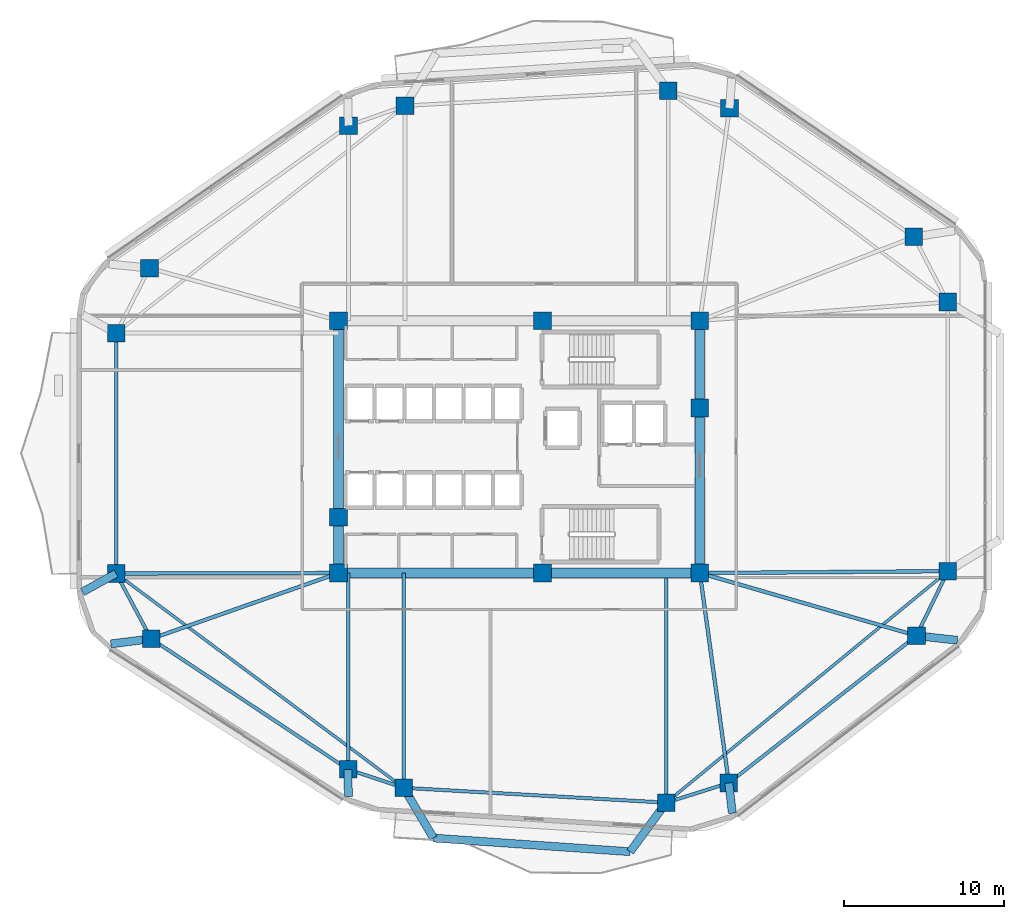
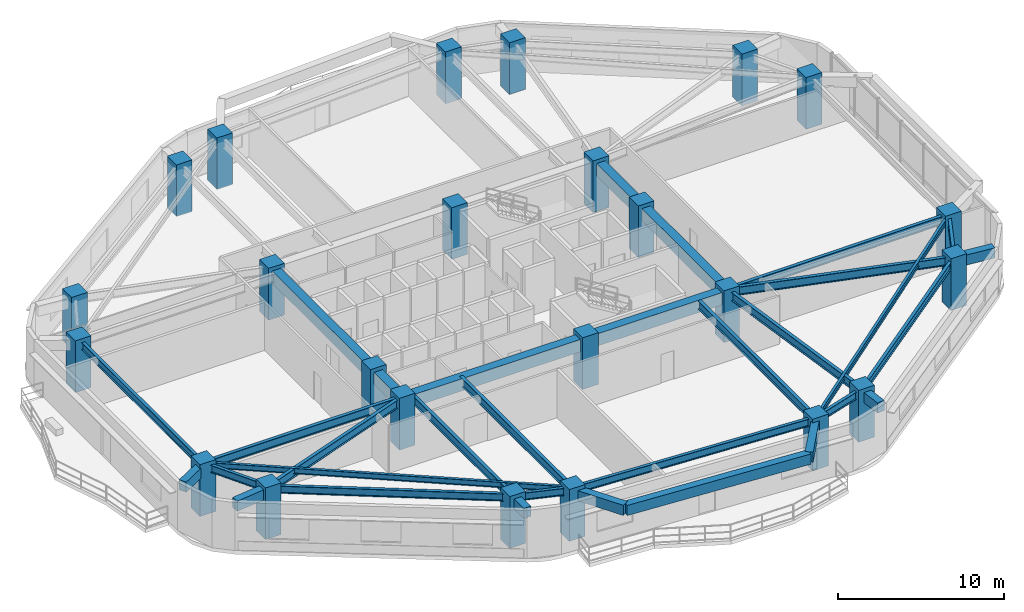
# One storey, part 1 of 14: 32 beams, 24 columns.
"""IFC4 building model written with IfcOpenShell, lengths in metres."""

from ifc_helpers import new_model, si_unit, direction, frame, origin, origin_2d, place, context, subcontext, project, spatial, rectangle, i_section, extrude, material, material_profile, profile_set, type_object, element, save


model = new_model("IFC4")

# Units and contexts
model_context = context("Model", 3, precision=1e-05, world=origin(), true_north=direction((0.0, 1.0)))
body_context = subcontext(model_context, "Body", "Model", "MODEL_VIEW")
ifc_project = project(units=[si_unit("LENGTHUNIT", "METRE"), si_unit("AREAUNIT", "SQUARE_METRE"), si_unit("VOLUMEUNIT", "CUBIC_METRE"), si_unit("PLANEANGLEUNIT", "RADIAN"), si_unit("MASSUNIT", "GRAM", prefix="KILO")], contexts=[model_context])

# Site, building, storey
site_placement = place(None, origin())
site = spatial("IfcSite", under=ifc_project, at=site_placement, CompositionType="ELEMENT")
building_placement = place(site_placement, origin())
building = spatial("IfcBuilding", under=site, at=building_placement, Name="Zulverin Broadcast Headquarters", CompositionType="ELEMENT")
storey_placement = place(building_placement, frame((0.0, 0.0, 85.800048828125)))
storey = spatial("IfcBuildingStorey", under=building, at=storey_placement, Name="L21", CompositionType="ELEMENT", Elevation=85.800048828125)

# Columns
ifc_material_1 = material(Name="Concrete C60/75", Category="concrete")
ifc_material_profile_1 = material_profile(ifc_material_1, rectangle(XDim=1.10009765625, YDim=1.10009765625, at=origin_2d()), Name="Concrete C60/75", Category="concrete")
ifc_profile_set_1 = profile_set([ifc_material_profile_1], Name="Concrete C60/75")
column_type_1 = type_object("IfcColumnType", Name="COL-RC-1100", PredefinedType="COLUMN", material=ifc_profile_set_1)
for number, where, z_axis, x_axis, name in (
    (1, (29.79638671875, 3.922119140625, 0.0), (0.0, 0.0, 1.0), (1.0, 0.0, 0.0), "L21 Perimeter Column T01"),
    (2, (46.175048828125, 2.997802734375, 0.0), (0.0, 0.0, 1.0), (1.0, 0.0, 0.0), "L21 Perimeter Column T02"),
    (3, (50.08056640625, 4.22509765625, 0.0), (0.0, 0.0, 1.0), (1.0, 0.0, 0.0), "L21 Perimeter Column T03"),
    (4, (61.79296875, 13.416259765625, 0.0), (0.0, 0.0, 1.0), (1.0, 0.0, 0.0), "L21 Perimeter Column T04"),
    (5, (63.75, 17.439697265625, 0.0), (0.0, 0.0, 1.0), (1.0, 0.0, 0.0), "L21 Perimeter Column T05"),
    (6, (63.75, 34.235107421875, 0.0), (0.0, 0.0, 1.0), (1.0, 0.0, 0.0), "L21 Perimeter Column T06"),
    (7, (61.630126953125, 38.298583984375, 0.0), (0.0, 0.0, 1.0), (1.0, 0.0, 0.0), "L21 Perimeter Column T07"),
    (8, (50.121826171875, 46.325927734375, 0.0), (0.0, 0.0, 1.0), (1.0, 0.0, 0.0), "L21 Perimeter Column T08"),
    (9, (46.30224609375, 47.4091796875, 0.0), (0.0, 0.0, 1.0), (1.0, 0.0, 0.0), "L21 Perimeter Column T09"),
    (10, (29.873779296875, 46.482177734375, 0.0), (0.0, 0.0, 1.0), (1.0, 0.0, 0.0), "L21 Perimeter Column T10"),
    (11, (26.344482421875, 45.23828125, 0.0), (0.0, 0.0, 1.0), (1.0, 0.0, 0.0), "L21 Perimeter Column T11"),
    (12, (13.934326171875, 36.353759765625, 0.0), (0.0, 0.0, 1.0), (1.0, 0.0, 0.0), "L21 Perimeter Column T12"),
    (13, (11.85009765625, 32.298095703125, 0.0), (0.0, 0.0, 1.0), (1.0, 0.0, 0.0), "L21 Perimeter Column T13"),
    (14, (11.85009765625, 17.297607421875, 0.0), (0.0, 0.0, 1.0), (1.0, 0.0, 0.0), "L21 Perimeter Column T14"),
    (15, (14.0390625, 13.219970703125, 0.0), (0.0, 0.0, 1.0), (1.0, 0.0, 0.0), "L21 Perimeter Column T15"),
    (16, (26.3251953125, 5.075927734375, 0.0), (0.0, 0.0, 1.0), (1.0, 0.0, 0.0), "L21 Perimeter Column T16"),
):
    element("IfcColumn", number, at=place(storey_placement, frame(where, z_axis=z_axis, x_axis=x_axis)), inside=storey, type_object=column_type_1, Name=name, PredefinedType="COLUMN", context=body_context, shape_type="SweptSolid", body=[
        extrude(rectangle(XDim=1.10009765625, YDim=1.10009765625, at=origin_2d()), origin(), (0.0, 0.0, 1.0), 3.800048828125),
    ])
ifc_material_profile_2 = material_profile(ifc_material_1, rectangle(XDim=1.10009765625, YDim=1.10009765625, at=origin_2d()), Name="Concrete C60/75", Category="concrete")
ifc_profile_set_2 = profile_set([ifc_material_profile_2], Name="Concrete C60/75")
column_type_2 = type_object("IfcColumnType", Name="PIL-RC-1100", PredefinedType="PILASTER", material=ifc_profile_set_2)
for number, where, z_axis, x_axis, name in (
    (17, (25.72509765625, 17.324951171875, 0.0), (0.0, 0.0, 1.0), (1.0, 0.0, 0.0), "L21 Core Pilaster K01"),
    (18, (38.449951171875, 17.324951171875, 0.0), (0.0, 0.0, 1.0), (1.0, 0.0, 0.0), "L21 Core Pilaster K02"),
    (19, (48.27490234375, 17.324951171875, 0.0), (0.0, 0.0, 1.0), (1.0, 0.0, 0.0), "L21 Core Pilaster K03"),
    (20, (48.27490234375, 27.6201171875, 0.0), (0.0, 0.0, 1.0), (1.0, 0.0, 0.0), "L21 Core Pilaster K04"),
    (21, (48.27490234375, 33.074951171875, 0.0), (0.0, 0.0, 1.0), (1.0, 0.0, 0.0), "L21 Core Pilaster K05"),
    (22, (38.449951171875, 33.074951171875, 0.0), (0.0, 0.0, 1.0), (1.0, 0.0, 0.0), "L21 Core Pilaster K06"),
    (23, (25.72509765625, 33.074951171875, 0.0), (0.0, 0.0, 1.0), (1.0, 0.0, 0.0), "L21 Core Pilaster K07"),
    (24, (25.72509765625, 20.800048828125, 0.0), (0.0, 0.0, 1.0), (1.0, 0.0, 0.0), "L21 Core Pilaster K08"),
):
    element("IfcColumn", number, at=place(storey_placement, frame(where, z_axis=z_axis, x_axis=x_axis)), inside=storey, type_object=column_type_2, Name=name, PredefinedType="PILASTER", context=body_context, shape_type="SweptSolid", body=[
        extrude(rectangle(XDim=1.10009765625, YDim=1.10009765625, at=origin_2d()), origin(), (0.0, 0.0, 1.0), 3.800048828125),
    ])

# Beams
ifc_material_profile_3 = material_profile(ifc_material_1, rectangle(XDim=0.60009765625, YDim=0.89990234375, at=origin_2d()), Name="Concrete C60/75", Category="concrete")
ifc_profile_set_3 = profile_set([ifc_material_profile_3], Name="Concrete C60/75")
beam_type_1 = type_object("IfcBeamType", Name="BM-CB-600x900", PredefinedType="LINTEL", material=ifc_profile_set_3)
beam_1_placement = place(storey_placement, frame((25.72509765625, 17.324951171875, 3.074951171875), z_axis=(1.0, 0.0, 0.0), x_axis=(0.0, 1.0, 0.0)))
element("IfcBeam", 25, at=beam_1_placement, inside=storey, type_object=beam_type_1, Name="L21 Core Coupling Girder K01-K02", PredefinedType="LINTEL", context=body_context, shape_type="SweptSolid", body=[
    extrude(rectangle(XDim=0.60009765625, YDim=0.89990234375, at=origin_2d()), origin(), (0.0, 0.0, 1.0), 12.724853515625),
])
beam_2_placement = place(storey_placement, frame((38.449951171875, 17.324951171875, 3.074951171875), z_axis=(1.0, 0.0, 0.0), x_axis=(0.0, 1.0, 0.0)))
element("IfcBeam", 26, at=beam_2_placement, inside=storey, type_object=beam_type_1, Name="L21 Core Coupling Girder K02-K03", PredefinedType="LINTEL", context=body_context, shape_type="SweptSolid", body=[
    extrude(rectangle(XDim=0.60009765625, YDim=0.89990234375, at=origin_2d()), origin(), (0.0, 0.0, 1.0), 9.824951171875),
])
beam_3_placement = place(storey_placement, frame((48.27490234375, 17.324951171875, 3.074951171875), z_axis=(0.0, 1.0, 0.0), x_axis=(-1.0, 0.0, 0.0)))
element("IfcBeam", 27, at=beam_3_placement, inside=storey, type_object=beam_type_1, Name="L21 Core Coupling Girder K03-K04", PredefinedType="LINTEL", context=body_context, shape_type="SweptSolid", body=[
    extrude(rectangle(XDim=0.60009765625, YDim=0.89990234375, at=origin_2d()), origin(), (0.0, 0.0, 1.0), 10.295166015625),
])
beam_4_placement = place(storey_placement, frame((48.27490234375, 27.6201171875, 3.074951171875), z_axis=(0.0, 1.0, 0.0), x_axis=(-1.0, 0.0, 0.0)))
element("IfcBeam", 28, at=beam_4_placement, inside=storey, type_object=beam_type_1, Name="L21 Core Coupling Girder K04-K05", PredefinedType="LINTEL", context=body_context, shape_type="SweptSolid", body=[
    extrude(rectangle(XDim=0.60009765625, YDim=0.89990234375, at=origin_2d()), origin(), (0.0, 0.0, 1.0), 5.454833984375),
])
beam_5_placement = place(storey_placement, frame((25.72509765625, 33.074951171875, 3.074951171875), z_axis=(0.0, -1.0, 0.0), x_axis=(1.0, 0.0, 0.0)))
element("IfcBeam", 29, at=beam_5_placement, inside=storey, type_object=beam_type_1, Name="L21 Core Coupling Girder K07-K08", PredefinedType="LINTEL", context=body_context, shape_type="SweptSolid", body=[
    extrude(rectangle(XDim=0.60009765625, YDim=0.89990234375, at=origin_2d()), origin(), (0.0, 0.0, 1.0), 12.27490234375),
])
beam_6_placement = place(storey_placement, frame((25.72509765625, 20.800048828125, 3.074951171875), z_axis=(0.0, -1.0, 0.0), x_axis=(1.0, 0.0, 0.0)))
element("IfcBeam", 30, at=beam_6_placement, inside=storey, type_object=beam_type_1, Name="L21 Core Coupling Girder K08-K01", PredefinedType="LINTEL", context=body_context, shape_type="SweptSolid", body=[
    extrude(rectangle(XDim=0.60009765625, YDim=0.89990234375, at=origin_2d()), origin(), (0.0, 0.0, 1.0), 3.47509765625),
])
ifc_material_2 = material(Name="Concrete C40/50", Category="concrete")
ifc_material_profile_4 = material_profile(ifc_material_2, rectangle(XDim=0.5, YDim=0.75, at=origin_2d()), Name="Concrete C40/50", Category="concrete")
ifc_profile_set_4 = profile_set([ifc_material_profile_4], Name="Concrete C40/50")
beam_type_2 = type_object("IfcBeamType", Name="BM-RC-500x750", PredefinedType="BEAM", material=ifc_profile_set_4)
beam_7_placement = place(storey_placement, frame((50.08056640625, 4.22509765625, 3.14990234375), z_axis=(0.115916621896, -0.99325894749, 0.0), x_axis=(0.99325894749, 0.115916621896, 0.0)))
element("IfcBeam", 31, at=beam_7_placement, inside=storey, type_object=beam_type_2, Name="L22 Plate Overhang Back-Spanned Beam OVR-03", PredefinedType="BEAM", context=body_context, shape_type="SweptSolid", body=[
    extrude(rectangle(XDim=0.5, YDim=0.75, at=origin_2d()), origin(), (0.0, 0.0, 1.0), 1.899658203125),
])
beam_8_placement = place(storey_placement, frame((61.79296875, 13.416259765625, 3.14990234375), z_axis=(0.993797661948, -0.111203449166, 0.0), x_axis=(0.111203449166, 0.993797661948, 0.0)))
element("IfcBeam", 32, at=beam_8_placement, inside=storey, type_object=beam_type_2, Name="L22 Plate Overhang Back-Spanned Beam OVR-04", PredefinedType="BEAM", context=body_context, shape_type="SweptSolid", body=[
    extrude(rectangle(XDim=0.5, YDim=0.75, at=origin_2d()), origin(), (0.0, 0.0, 1.0), 2.568603515625),
])
beam_9_placement = place(storey_placement, frame((11.85009765625, 17.297607421875, 3.14990234375), z_axis=(-0.876392237524, -0.481598012878, 0.0), x_axis=(0.481598012878, -0.876392237524, 0.0)))
element("IfcBeam", 33, at=beam_9_placement, inside=storey, type_object=beam_type_2, Name="L22 Plate Overhang Back-Spanned Beam OVR-14", PredefinedType="BEAM", context=body_context, shape_type="SweptSolid", body=[
    extrude(rectangle(XDim=0.5, YDim=0.75, at=origin_2d()), origin(), (0.0, 0.0, 1.0), 2.396240234375),
])
beam_10_placement = place(storey_placement, frame((14.0390625, 13.219970703125, 3.14990234375), z_axis=(-0.992258640565, -0.124188526941, 0.0), x_axis=(0.124188526941, -0.992258640565, 0.0)))
element("IfcBeam", 34, at=beam_10_placement, inside=storey, type_object=beam_type_2, Name="L22 Plate Overhang Back-Spanned Beam OVR-15", PredefinedType="BEAM", context=body_context, shape_type="SweptSolid", body=[
    extrude(rectangle(XDim=0.5, YDim=0.75, at=origin_2d()), origin(), (0.0, 0.0, 1.0), 2.5400390625),
])
beam_11_placement = place(storey_placement, frame((26.3251953125, 5.075927734375, 3.14990234375), z_axis=(0.006204786761, -0.999980750125, 0.0), x_axis=(0.999980750125, 0.006204786761, 0.0)))
element("IfcBeam", 35, at=beam_11_placement, inside=storey, type_object=beam_type_2, Name="L22 Plate Overhang Back-Spanned Beam OVR-16", PredefinedType="BEAM", context=body_context, shape_type="SweptSolid", body=[
    extrude(rectangle(XDim=0.5, YDim=0.75, at=origin_2d()), origin(), (0.0, 0.0, 1.0), 1.69189453125),
])
beam_12_placement = place(storey_placement, frame((29.79638671875, 3.922119140625, 3.14990234375), z_axis=(0.50927124685, -0.860606063848, 0.0), x_axis=(0.860606063848, 0.50927124685, 0.0)))
element("IfcBeam", 36, at=beam_12_placement, inside=storey, type_object=beam_type_2, Name="L22 Balcony Column-Framed Cantilever BAL_S-1", PredefinedType="BEAM", context=body_context, shape_type="SweptSolid", body=[
    extrude(rectangle(XDim=0.5, YDim=0.75, at=origin_2d()), origin(), (0.0, 0.0, 1.0), 3.641845703125),
])
beam_13_placement = place(storey_placement, frame((46.175048828125, 2.997802734375, 3.14990234375), z_axis=(-0.592479980496, -0.805585174088, 0.0), x_axis=(0.805585174088, -0.592479980496, 0.0)))
element("IfcBeam", 37, at=beam_13_placement, inside=storey, type_object=beam_type_2, Name="L22 Balcony Column-Framed Cantilever BAL_S-2", PredefinedType="BEAM", context=body_context, shape_type="SweptSolid", body=[
    extrude(rectangle(XDim=0.5, YDim=0.75, at=origin_2d()), origin(), (0.0, 0.0, 1.0), 3.800048828125),
])
beam_14_placement = place(storey_placement, frame((31.651123046875, 0.787841796875, 3.14990234375), z_axis=(0.997602675733, -0.069201888483, 0.0), x_axis=(0.069201888483, 0.997602675733, 0.0)))
element("IfcBeam", 38, at=beam_14_placement, inside=storey, type_object=beam_type_2, Name="L22 Balcony Outer Edge Trimmer Beam BAL_S", PredefinedType="BEAM", context=body_context, shape_type="SweptSolid", body=[
    extrude(rectangle(XDim=0.5, YDim=0.75, at=origin_2d()), origin(), (0.0, 0.0, 1.0), 12.302001953125),
])
ifc_material_3 = material(Name="Structural steel S355JR", Category="steel")
ifc_material_profile_5 = material_profile(ifc_material_3, i_section(OverallWidth=0.179443359375, OverallDepth=0.412841796875, WebThickness=0.009521484375, FlangeThickness=0.01611328125, at=origin_2d()), Name="Structural steel S355JR", Category="steel")
ifc_profile_set_5 = profile_set([ifc_material_profile_5], Name="Structural steel S355JR")
beam_type_3 = type_object("IfcBeamType", Name="BM-UB-406", PredefinedType="JOIST", material=ifc_profile_set_5)
beam_15_placement = place(storey_placement, frame((46.175048828125, 2.997802734375, 3.318603515625), z_axis=(0.772611370623, 0.634879256224, 0.0), x_axis=(-0.634879256224, 0.772611370623, 0.0)))
element("IfcBeam", 39, at=beam_15_placement, inside=storey, type_object=beam_type_3, Name="L21 Chordal Floor Joist J-01", PredefinedType="JOIST", context=body_context, shape_type="SweptSolid", body=[
    extrude(i_section(OverallWidth=0.179443359375, OverallDepth=0.412841796875, WebThickness=0.009521484375, FlangeThickness=0.01611328125, at=origin_2d()), origin(), (0.0, 0.0, 1.0), 22.74755859375),
])
beam_16_placement = place(storey_placement, frame((11.85009765625, 17.297607421875, 3.318603515625), z_axis=(0.801802688634, -0.59758886243, 0.0), x_axis=(0.59758886243, 0.801802688634, 0.0)))
element("IfcBeam", 40, at=beam_16_placement, inside=storey, type_object=beam_type_3, Name="L21 Chordal Floor Joist J-04", PredefinedType="JOIST", context=body_context, shape_type="SweptSolid", body=[
    extrude(i_section(OverallWidth=0.179443359375, OverallDepth=0.412841796875, WebThickness=0.009521484375, FlangeThickness=0.01611328125, at=origin_2d()), origin(), (0.0, 0.0, 1.0), 22.38232421875),
])
ifc_material_profile_6 = material_profile(ifc_material_3, i_section(OverallWidth=0.2119140625, OverallDepth=0.54443359375, WebThickness=0.0126953125, FlangeThickness=0.021240234375, at=origin_2d()), Name="Structural steel S355JR", Category="steel")
ifc_profile_set_6 = profile_set([ifc_material_profile_6], Name="Structural steel S355JR")
beam_type_4 = type_object("IfcBeamType", Name="BM-UB-533", PredefinedType="SPANDREL", material=ifc_profile_set_6)
beam_17_placement = place(storey_placement, frame((29.79638671875, 3.922119140625, 3.252685546875), z_axis=(0.998411385104, -0.056344530297, 0.0), x_axis=(0.056344530297, 0.998411385104, 0.0)))
element("IfcBeam", 41, at=beam_17_placement, inside=storey, type_object=beam_type_4, Name="L21 Perimeter Spandrel Beam SP-01", PredefinedType="SPANDREL", context=body_context, shape_type="SweptSolid", body=[
    extrude(i_section(OverallWidth=0.2119140625, OverallDepth=0.54443359375, WebThickness=0.0126953125, FlangeThickness=0.021240234375, at=origin_2d()), origin(), (0.0, 0.0, 1.0), 16.40478515625),
])
beam_18_placement = place(storey_placement, frame((46.175048828125, 2.997802734375, 3.252685546875), z_axis=(0.954004438448, 0.299792480595, 0.0), x_axis=(-0.299792480595, 0.954004438448, 0.0)))
element("IfcBeam", 42, at=beam_18_placement, inside=storey, type_object=beam_type_4, Name="L21 Perimeter Spandrel Beam SP-02", PredefinedType="SPANDREL", context=body_context, shape_type="SweptSolid", body=[
    extrude(i_section(OverallWidth=0.2119140625, OverallDepth=0.54443359375, WebThickness=0.0126953125, FlangeThickness=0.021240234375, at=origin_2d()), origin(), (0.0, 0.0, 1.0), 4.09375),
])
beam_19_placement = place(storey_placement, frame((50.08056640625, 4.22509765625, 3.252685546875), z_axis=(0.786691476208, 0.617346354376, 0.0), x_axis=(-0.617346354376, 0.786691476208, 0.0)))
element("IfcBeam", 43, at=beam_19_placement, inside=storey, type_object=beam_type_4, Name="L21 Perimeter Spandrel Beam SP-03", PredefinedType="SPANDREL", context=body_context, shape_type="SweptSolid", body=[
    extrude(i_section(OverallWidth=0.2119140625, OverallDepth=0.54443359375, WebThickness=0.0126953125, FlangeThickness=0.021240234375, at=origin_2d()), origin(), (0.0, 0.0, 1.0), 14.88818359375),
])
beam_20_placement = place(storey_placement, frame((61.79296875, 13.416259765625, 3.252685546875), z_axis=(0.437408475872, 0.899262934428, 0.0), x_axis=(-0.899262934428, 0.437408475872, 0.0)))
element("IfcBeam", 44, at=beam_20_placement, inside=storey, type_object=beam_type_4, Name="L21 Perimeter Spandrel Beam SP-04", PredefinedType="SPANDREL", context=body_context, shape_type="SweptSolid", body=[
    extrude(i_section(OverallWidth=0.2119140625, OverallDepth=0.54443359375, WebThickness=0.0126953125, FlangeThickness=0.021240234375, at=origin_2d()), origin(), (0.0, 0.0, 1.0), 4.47412109375),
])
beam_21_placement = place(storey_placement, frame((11.85009765625, 32.298095703125, 3.252685546875), z_axis=(0.0, -1.0, 0.0), x_axis=(1.0, 0.0, 0.0)))
element("IfcBeam", 45, at=beam_21_placement, inside=storey, type_object=beam_type_4, Name="L21 Perimeter Spandrel Beam SP-13", PredefinedType="SPANDREL", context=body_context, shape_type="SweptSolid", body=[
    extrude(i_section(OverallWidth=0.2119140625, OverallDepth=0.54443359375, WebThickness=0.0126953125, FlangeThickness=0.021240234375, at=origin_2d()), origin(), (0.0, 0.0, 1.0), 15.00048828125),
])
beam_22_placement = place(storey_placement, frame((11.85009765625, 17.297607421875, 3.252685546875), z_axis=(0.472979536362, -0.881073412482, 0.0), x_axis=(0.881073412482, 0.472979536362, 0.0)))
element("IfcBeam", 46, at=beam_22_placement, inside=storey, type_object=beam_type_4, Name="L21 Perimeter Spandrel Beam SP-14", PredefinedType="SPANDREL", context=body_context, shape_type="SweptSolid", body=[
    extrude(i_section(OverallWidth=0.2119140625, OverallDepth=0.54443359375, WebThickness=0.0126953125, FlangeThickness=0.021240234375, at=origin_2d()), origin(), (0.0, 0.0, 1.0), 4.6279296875),
])
beam_23_placement = place(storey_placement, frame((14.0390625, 13.219970703125, 3.252685546875), z_axis=(0.833510030956, -0.552504324232, 0.0), x_axis=(0.552504324232, 0.833510030956, 0.0)))
element("IfcBeam", 47, at=beam_23_placement, inside=storey, type_object=beam_type_4, Name="L21 Perimeter Spandrel Beam SP-15", PredefinedType="SPANDREL", context=body_context, shape_type="SweptSolid", body=[
    extrude(i_section(OverallWidth=0.2119140625, OverallDepth=0.54443359375, WebThickness=0.0126953125, FlangeThickness=0.021240234375, at=origin_2d()), origin(), (0.0, 0.0, 1.0), 14.740234375),
])
beam_24_placement = place(storey_placement, frame((26.3251953125, 5.075927734375, 3.252685546875), z_axis=(0.948949931395, -0.315426739047, 0.0), x_axis=(0.315426739047, 0.948949931395, 0.0)))
element("IfcBeam", 48, at=beam_24_placement, inside=storey, type_object=beam_type_4, Name="L21 Perimeter Spandrel Beam SP-16", PredefinedType="SPANDREL", context=body_context, shape_type="SweptSolid", body=[
    extrude(i_section(OverallWidth=0.2119140625, OverallDepth=0.54443359375, WebThickness=0.0126953125, FlangeThickness=0.021240234375, at=origin_2d()), origin(), (0.0, 0.0, 1.0), 3.657958984375),
])
ifc_material_profile_7 = material_profile(ifc_material_3, i_section(OverallWidth=0.230224609375, OverallDepth=0.6171875, WebThickness=0.01318359375, FlangeThickness=0.022216796875, at=origin_2d()), Name="Structural steel S355JR", Category="steel")
ifc_profile_set_7 = profile_set([ifc_material_profile_7], Name="Structural steel S355JR")
beam_type_5 = type_object("IfcBeamType", Name="BM-UB-610", PredefinedType="BEAM", material=ifc_profile_set_7)
beam_25_placement = place(storey_placement, frame((29.79638671875, 17.324951171875, 3.21630859375), z_axis=(0.0, -1.0, 0.0), x_axis=(1.0, 0.0, 0.0)))
element("IfcBeam", 49, at=beam_25_placement, inside=storey, type_object=beam_type_5, Name="L21 Radial Primary Floor Beam RB-01", PredefinedType="BEAM", context=body_context, shape_type="SweptSolid", body=[
    extrude(i_section(OverallWidth=0.230224609375, OverallDepth=0.6171875, WebThickness=0.01318359375, FlangeThickness=0.022216796875, at=origin_2d()), origin(), (0.0, 0.0, 1.0), 13.40283203125),
])
beam_26_placement = place(storey_placement, frame((46.175048828125, 17.324951171875, 3.21630859375), z_axis=(0.0, -1.0, 0.0), x_axis=(1.0, 0.0, 0.0)))
element("IfcBeam", 50, at=beam_26_placement, inside=storey, type_object=beam_type_5, Name="L21 Radial Primary Floor Beam RB-02", PredefinedType="BEAM", context=body_context, shape_type="SweptSolid", body=[
    extrude(i_section(OverallWidth=0.230224609375, OverallDepth=0.6171875, WebThickness=0.01318359375, FlangeThickness=0.022216796875, at=origin_2d()), origin(), (0.0, 0.0, 1.0), 14.3271484375),
])
beam_27_placement = place(storey_placement, frame((48.27490234375, 17.324951171875, 3.21630859375), z_axis=(0.136547433081, -0.990633533916, 0.0), x_axis=(0.990633533916, 0.136547433081, 0.0)))
element("IfcBeam", 51, at=beam_27_placement, inside=storey, type_object=beam_type_5, Name="L21 Radial Primary Floor Beam RB-03", PredefinedType="BEAM", context=body_context, shape_type="SweptSolid", body=[
    extrude(i_section(OverallWidth=0.230224609375, OverallDepth=0.6171875, WebThickness=0.01318359375, FlangeThickness=0.022216796875, at=origin_2d()), origin(), (0.0, 0.0, 1.0), 13.2236328125),
])
beam_28_placement = place(storey_placement, frame((48.27490234375, 17.324951171875, 3.21630859375), z_axis=(0.960648363311, -0.277767388416, 0.0), x_axis=(0.277767388416, 0.960648363311, 0.0)))
element("IfcBeam", 52, at=beam_28_placement, inside=storey, type_object=beam_type_5, Name="L21 Radial Primary Floor Beam RB-04", PredefinedType="BEAM", context=body_context, shape_type="SweptSolid", body=[
    extrude(i_section(OverallWidth=0.230224609375, OverallDepth=0.6171875, WebThickness=0.01318359375, FlangeThickness=0.022216796875, at=origin_2d()), origin(), (0.0, 0.0, 1.0), 14.07177734375),
])
beam_29_placement = place(storey_placement, frame((48.27490234375, 17.324951171875, 3.21630859375), z_axis=(0.999972510862, 0.007414682739, 0.0), x_axis=(-0.007414682739, 0.999972510862, 0.0)))
element("IfcBeam", 53, at=beam_29_placement, inside=storey, type_object=beam_type_5, Name="L21 Radial Primary Floor Beam RB-05", PredefinedType="BEAM", context=body_context, shape_type="SweptSolid", body=[
    extrude(i_section(OverallWidth=0.230224609375, OverallDepth=0.6171875, WebThickness=0.01318359375, FlangeThickness=0.022216796875, at=origin_2d()), origin(), (0.0, 0.0, 1.0), 15.4755859375),
])
beam_30_placement = place(storey_placement, frame((25.72509765625, 17.324951171875, 3.21630859375), z_axis=(-0.999998058136, -0.001970716894, 0.0), x_axis=(0.001970716894, -0.999998058136, 0.0)))
element("IfcBeam", 54, at=beam_30_placement, inside=storey, type_object=beam_type_5, Name="L21 Radial Primary Floor Beam RB-14", PredefinedType="BEAM", context=body_context, shape_type="SweptSolid", body=[
    extrude(i_section(OverallWidth=0.230224609375, OverallDepth=0.6171875, WebThickness=0.01318359375, FlangeThickness=0.022216796875, at=origin_2d()), origin(), (0.0, 0.0, 1.0), 13.875),
])
beam_31_placement = place(storey_placement, frame((25.72509765625, 17.324951171875, 3.21630859375), z_axis=(-0.943483462345, -0.331419607569, 0.0), x_axis=(0.331419607569, -0.943483462345, 0.0)))
element("IfcBeam", 55, at=beam_31_placement, inside=storey, type_object=beam_type_5, Name="L21 Radial Primary Floor Beam RB-15", PredefinedType="BEAM", context=body_context, shape_type="SweptSolid", body=[
    extrude(i_section(OverallWidth=0.230224609375, OverallDepth=0.6171875, WebThickness=0.01318359375, FlangeThickness=0.022216796875, at=origin_2d()), origin(), (0.0, 0.0, 1.0), 12.385986328125),
])
beam_32_placement = place(storey_placement, frame((26.3251953125, 17.324951171875, 3.21630859375), z_axis=(0.0, -1.0, 0.0), x_axis=(1.0, 0.0, 0.0)))
element("IfcBeam", 56, at=beam_32_placement, inside=storey, type_object=beam_type_5, Name="L21 Radial Primary Floor Beam RB-16", PredefinedType="BEAM", context=body_context, shape_type="SweptSolid", body=[
    extrude(i_section(OverallWidth=0.230224609375, OverallDepth=0.6171875, WebThickness=0.01318359375, FlangeThickness=0.022216796875, at=origin_2d()), origin(), (0.0, 0.0, 1.0), 12.2490234375),
])

save(model, "model.ifc")
